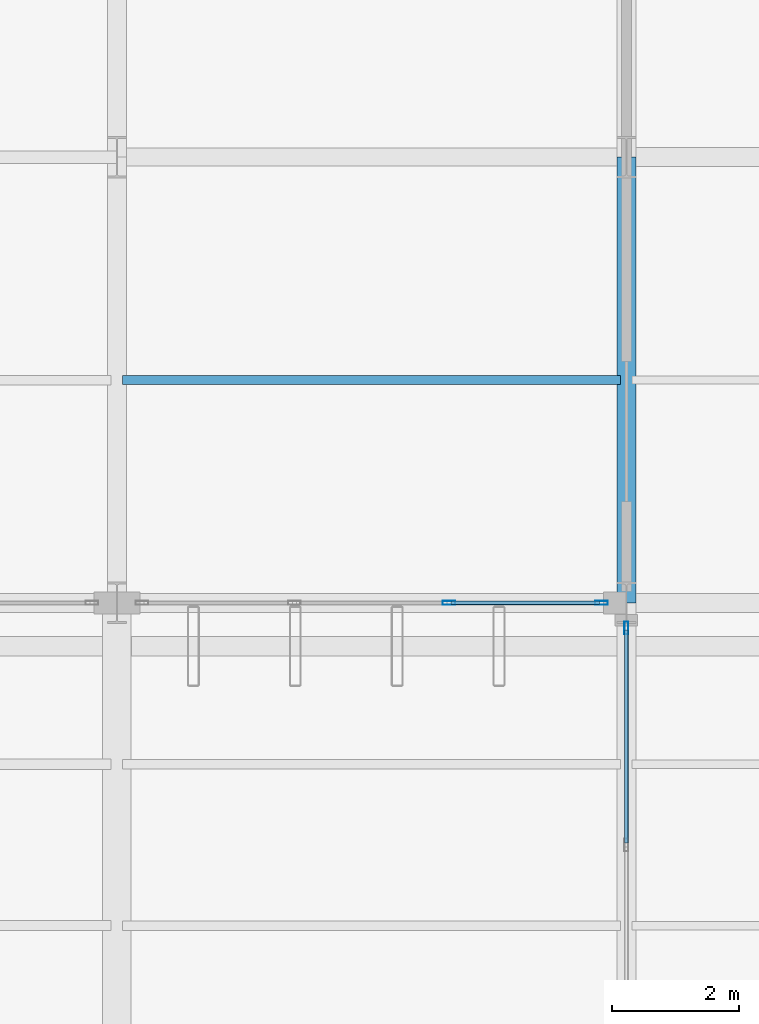
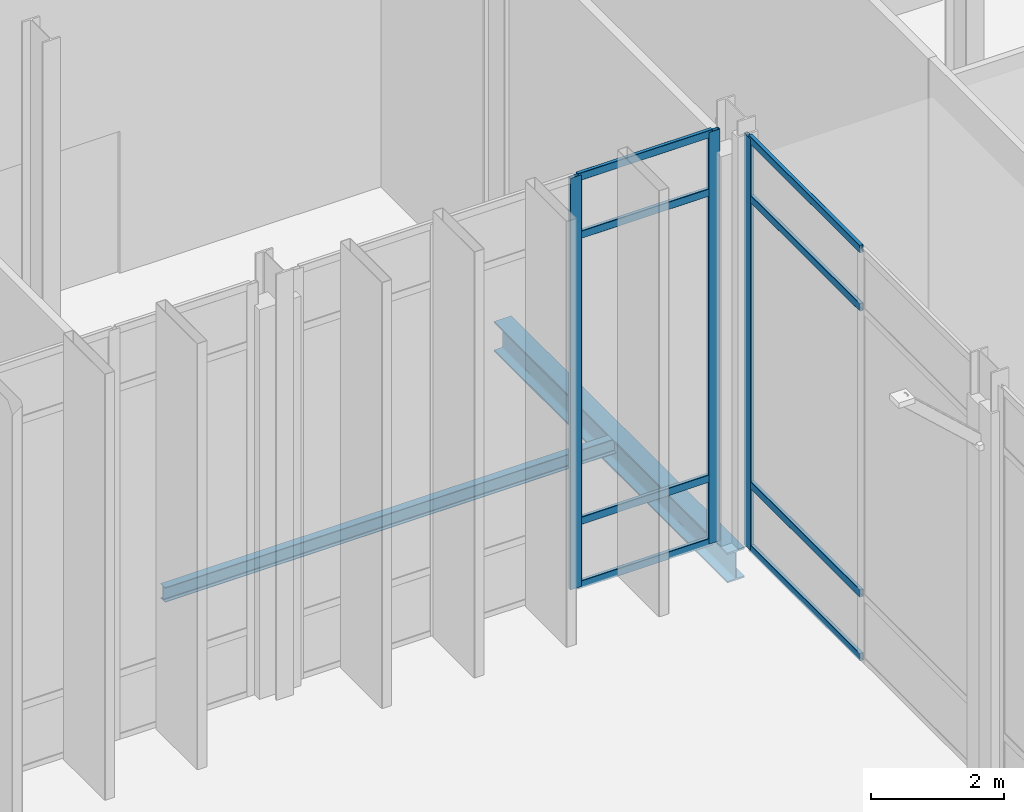
# One storey, part 49 of 176: 11 members, 2 beams, 2 elements without a shape of their own.
"""IFC4 building model written with IfcOpenShell, lengths in metres."""

from ifc_helpers import new_model, si_unit, direction, frame, origin, origin_2d, place, context, subcontext, project, spatial, hollow_rectangle, i_section, extrude, material, layer, layer_set, material_profile, profile_set, type_object, element, aggregate, save


model = new_model("IFC4")

# Units and contexts
model_context = context("Model", 3, precision=1e-05, world=origin(), true_north=direction((0.0, 1.0)))
body_context = subcontext(model_context, "Body", "Model", "MODEL_VIEW")
ifc_project = project(units=[si_unit("LENGTHUNIT", "METRE"), si_unit("AREAUNIT", "SQUARE_METRE"), si_unit("VOLUMEUNIT", "CUBIC_METRE"), si_unit("PLANEANGLEUNIT", "RADIAN"), si_unit("MASSUNIT", "GRAM", prefix="KILO")], contexts=[model_context])

# Site, building, storey
site_placement = place(None, origin())
site = spatial("IfcSite", under=ifc_project, at=site_placement, CompositionType="ELEMENT")
building_placement = place(site_placement, origin())
building = spatial("IfcBuilding", under=site, at=building_placement, Name="Vekula Escarpment Museum", CompositionType="ELEMENT")
storey_placement = place(building_placement, origin())
storey = spatial("IfcBuildingStorey", under=building, at=storey_placement, Name="L01", CompositionType="ELEMENT", Elevation=0.0)

# Beams
ifc_material_1 = material(Name="Steel S355", Category="steel")
ifc_material_profile_1 = material_profile(ifc_material_1, i_section(OverallWidth=0.300048828125, OverallDepth=0.550048828125, WebThickness=0.014892578125, FlangeThickness=0.029052734375, FilletRadius=0.027099609375, at=origin_2d()), Name="HEB 550")
ifc_profile_set_1 = profile_set([ifc_material_profile_1], Name="Steel S355")
beam_type_1 = type_object("IfcBeamType", Name="BM-GIRD-HEB550", PredefinedType="BEAM", material=ifc_profile_set_1)
beam_1_placement = place(storey_placement, frame((94.0, 45.60009765625, -0.574951171875), z_axis=(0.0, 1.0, 0.0), x_axis=(-1.0, 0.0, 0.0)))
element("IfcBeam", 1, at=beam_1_placement, inside=storey, type_object=beam_type_1, Name="Beam Y L01 0582", PredefinedType="BEAM", context=body_context, shape_type="SweptSolid", body=[
    extrude(i_section(OverallWidth=0.300048828125, OverallDepth=0.550048828125, WebThickness=0.014892578125, FlangeThickness=0.029052734375, FilletRadius=0.027099609375, at=origin_2d()), origin(), (0.0, 0.0, 1.0), 7.0),
])
ifc_material_2 = material(Name="Steel S355", Category="steel")
ifc_material_profile_2 = material_profile(ifc_material_2, i_section(OverallWidth=0.135009765625, OverallDepth=0.27001953125, WebThickness=0.006591796875, FlangeThickness=0.01025390625, FilletRadius=0.014892578125, at=origin_2d()), Name="IPE 270")
ifc_profile_set_2 = profile_set([ifc_material_profile_2], Name="Steel S355")
beam_type_2 = type_object("IfcBeamType", Name="BM-JST-IPE270", PredefinedType="JOIST", material=ifc_profile_set_2)
beam_2_placement = place(storey_placement, frame((86.090087890625, 49.10009765625, -0.43505859375), z_axis=(1.0, 0.0, 0.0), x_axis=(0.0, 1.0, 0.0)))
element("IfcBeam", 2, at=beam_2_placement, inside=storey, type_object=beam_type_2, Name="Secondary Joist L01 0275", PredefinedType="JOIST", context=body_context, shape_type="SweptSolid", body=[
    extrude(i_section(OverallWidth=0.135009765625, OverallDepth=0.27001953125, WebThickness=0.006591796875, FlangeThickness=0.01025390625, FilletRadius=0.014892578125, at=origin_2d()), origin(), (0.0, 0.0, 1.0), 7.81982421875),
])

# Curtain wall, members
ifc_material_3 = material(Name="Aluminium thermally broken framing", Category="aluminium")
ifc_layer_1 = layer(ifc_material_3, 0.139892578125)
ifc_layer_set_1 = layer_set([ifc_layer_1], Name="Aluminium thermally broken framing")
curtain_wall_type_1 = type_object("IfcCurtainWallType", Name="CW-SYS-06", PredefinedType="NOTDEFINED", material=ifc_layer_set_1)
curtain_wall_1_placement = place(storey_placement, origin())
curtain_wall_1 = element("IfcCurtainWall", 3, at=curtain_wall_1_placement, inside=storey, type_object=curtain_wall_type_1, Name="Curtain Wall CW-L01-046", PredefinedType="NOTDEFINED")
ifc_material_4 = material(Name="Aluminium anodized mullion", Category="aluminium")
ifc_material_profile_3 = material_profile(ifc_material_4, hollow_rectangle(XDim=0.06494140625, YDim=0.199951171875, WallThickness=0.00390625, InnerFilletRadius=0.00390625, OuterFilletRadius=0.008056640625, at=origin_2d()), Name="ALU 200x65x4")
ifc_profile_set_3 = profile_set([ifc_material_profile_3], Name="Aluminium anodized mullion")
member_type_1 = type_object("IfcMemberType", Name="CW-MUL-200", PredefinedType="MULLION", material=ifc_profile_set_3)
member_1_placement = place(storey_placement, frame((91.21337890625, 45.60009765625, 0.0), z_axis=(0.0, 0.0, 1.0), x_axis=(0.0, 1.0, 0.0)))
member_1 = element("IfcMember", 4, at=member_1_placement, type_object=member_type_1, Name="CW-06 mullion 3", PredefinedType="MULLION", context=body_context, shape_type="SweptSolid", body=[
    extrude(hollow_rectangle(XDim=0.06494140625, YDim=0.199951171875, WallThickness=0.00390625, InnerFilletRadius=0.00390625, OuterFilletRadius=0.008056640625, at=origin_2d()), origin(), (0.0, 0.0, 1.0), 7.5400390625),
])
member_2_placement = place(storey_placement, frame((93.607421875, 45.60009765625, 0.0), z_axis=(0.0, 0.0, 1.0), x_axis=(0.0, 1.0, 0.0)))
member_2 = element("IfcMember", 5, at=member_2_placement, type_object=member_type_1, Name="CW-06 mullion 4", PredefinedType="MULLION", context=body_context, shape_type="SweptSolid", body=[
    extrude(hollow_rectangle(XDim=0.06494140625, YDim=0.199951171875, WallThickness=0.00390625, InnerFilletRadius=0.00390625, OuterFilletRadius=0.008056640625, at=origin_2d()), origin(), (0.0, 0.0, 1.0), 7.5400390625),
])

# Curtain wall, member
ifc_material_5 = material(Name="Aluminium thermally broken framing", Category="aluminium")
ifc_layer_2 = layer(ifc_material_5, 0.179931640625)
ifc_layer_set_2 = layer_set([ifc_layer_2], Name="Aluminium thermally broken framing")
curtain_wall_type_2 = type_object("IfcCurtainWallType", Name="CW-SYS-07", PredefinedType="NOTDEFINED", material=ifc_layer_set_2)
curtain_wall_2_placement = place(storey_placement, origin())
curtain_wall_2 = element("IfcCurtainWall", 6, at=curtain_wall_2_placement, inside=storey, type_object=curtain_wall_type_2, Name="Curtain Wall CW-L01-047", PredefinedType="NOTDEFINED")
member_3_placement = place(storey_placement, frame((94.0, 45.20751953125, 0.0), z_axis=(0.0, 0.0, 1.0), x_axis=(1.0, 0.0, 0.0)))
member_3 = element("IfcMember", 7, at=member_3_placement, type_object=member_type_1, Name="CW-07 mullion 1", PredefinedType="MULLION", context=body_context, shape_type="SweptSolid", body=[
    extrude(hollow_rectangle(XDim=0.06494140625, YDim=0.199951171875, WallThickness=0.00390625, InnerFilletRadius=0.00390625, OuterFilletRadius=0.008056640625, at=origin_2d()), origin(), (0.0, 0.0, 1.0), 7.5400390625),
])

# Member
ifc_material_6 = material(Name="Aluminium anodized transom", Category="aluminium")
ifc_material_profile_4 = material_profile(ifc_material_6, hollow_rectangle(XDim=0.06494140625, YDim=0.139892578125, WallThickness=0.00390625, InnerFilletRadius=0.00390625, OuterFilletRadius=0.008056640625, at=origin_2d()), Name="ALU 140x65x4")
ifc_profile_set_4 = profile_set([ifc_material_profile_4], Name="Aluminium anodized transom")
member_type_2 = type_object("IfcMemberType", Name="CW-TRN-140", PredefinedType="USERDEFINED", material=ifc_profile_set_4)
member_4_placement = place(storey_placement, frame((91.245849609375, 45.60009765625, 0.032470703125), z_axis=(1.0, 0.0, 0.0), x_axis=(0.0, 1.0, 0.0)))
member_4 = element("IfcMember", 8, at=member_4_placement, type_object=member_type_2, Name="CW-06 transom 3.1", ObjectType="TRANSOM", PredefinedType="USERDEFINED", context=body_context, shape_type="SweptSolid", body=[
    extrude(hollow_rectangle(XDim=0.06494140625, YDim=0.139892578125, WallThickness=0.00390625, InnerFilletRadius=0.00390625, OuterFilletRadius=0.008056640625, at=origin_2d()), origin(), (0.0, 0.0, 1.0), 2.3291015625),
])

member_5_placement = place(storey_placement, frame((91.245849609375, 45.60009765625, 1.199951171875), z_axis=(1.0, 0.0, 0.0), x_axis=(0.0, 1.0, 0.0)))
member_5 = element("IfcMember", 9, at=member_5_placement, type_object=member_type_2, Name="CW-06 transom 3.2", ObjectType="TRANSOM", PredefinedType="USERDEFINED", context=body_context, shape_type="SweptSolid", body=[
    extrude(hollow_rectangle(XDim=0.06494140625, YDim=0.139892578125, WallThickness=0.00390625, InnerFilletRadius=0.00390625, OuterFilletRadius=0.008056640625, at=origin_2d()), origin(), (0.0, 0.0, 1.0), 2.3291015625),
])

member_6_placement = place(storey_placement, frame((91.245849609375, 45.60009765625, 6.43994140625), z_axis=(1.0, 0.0, 0.0), x_axis=(0.0, 1.0, 0.0)))
member_6 = element("IfcMember", 10, at=member_6_placement, type_object=member_type_2, Name="CW-06 transom 3.3", ObjectType="TRANSOM", PredefinedType="USERDEFINED", context=body_context, shape_type="SweptSolid", body=[
    extrude(hollow_rectangle(XDim=0.06494140625, YDim=0.139892578125, WallThickness=0.00390625, InnerFilletRadius=0.00390625, OuterFilletRadius=0.008056640625, at=origin_2d()), origin(), (0.0, 0.0, 1.0), 2.3291015625),
])

member_7_placement = place(storey_placement, frame((91.245849609375, 45.60009765625, 7.507568359375), z_axis=(1.0, 0.0, 0.0), x_axis=(0.0, 1.0, 0.0)))
member_7 = element("IfcMember", 11, at=member_7_placement, type_object=member_type_2, Name="CW-06 transom 3.4", ObjectType="TRANSOM", PredefinedType="USERDEFINED", context=body_context, shape_type="SweptSolid", body=[
    extrude(hollow_rectangle(XDim=0.06494140625, YDim=0.139892578125, WallThickness=0.00390625, InnerFilletRadius=0.00390625, OuterFilletRadius=0.008056640625, at=origin_2d()), origin(), (0.0, 0.0, 1.0), 2.3291015625),
])

aggregate(curtain_wall_1, [member_1, member_2, member_4, member_5, member_6, member_7])

member_8_placement = place(storey_placement, frame((94.0, 45.175048828125, 0.032470703125), z_axis=(0.0, -1.0, 0.0), x_axis=(1.0, 0.0, 0.0)))
member_8 = element("IfcMember", 12, at=member_8_placement, type_object=member_type_2, Name="CW-07 transom 1.1", ObjectType="TRANSOM", PredefinedType="USERDEFINED", context=body_context, shape_type="SweptSolid", body=[
    extrude(hollow_rectangle(XDim=0.06494140625, YDim=0.139892578125, WallThickness=0.00390625, InnerFilletRadius=0.00390625, OuterFilletRadius=0.008056640625, at=origin_2d()), origin(), (0.0, 0.0, 1.0), 3.342529296875),
])

member_9_placement = place(storey_placement, frame((94.0, 45.175048828125, 1.199951171875), z_axis=(0.0, -1.0, 0.0), x_axis=(1.0, 0.0, 0.0)))
member_9 = element("IfcMember", 13, at=member_9_placement, type_object=member_type_2, Name="CW-07 transom 1.2", ObjectType="TRANSOM", PredefinedType="USERDEFINED", context=body_context, shape_type="SweptSolid", body=[
    extrude(hollow_rectangle(XDim=0.06494140625, YDim=0.139892578125, WallThickness=0.00390625, InnerFilletRadius=0.00390625, OuterFilletRadius=0.008056640625, at=origin_2d()), origin(), (0.0, 0.0, 1.0), 3.342529296875),
])

member_10_placement = place(storey_placement, frame((94.0, 45.175048828125, 6.43994140625), z_axis=(0.0, -1.0, 0.0), x_axis=(1.0, 0.0, 0.0)))
member_10 = element("IfcMember", 14, at=member_10_placement, type_object=member_type_2, Name="CW-07 transom 1.3", ObjectType="TRANSOM", PredefinedType="USERDEFINED", context=body_context, shape_type="SweptSolid", body=[
    extrude(hollow_rectangle(XDim=0.06494140625, YDim=0.139892578125, WallThickness=0.00390625, InnerFilletRadius=0.00390625, OuterFilletRadius=0.008056640625, at=origin_2d()), origin(), (0.0, 0.0, 1.0), 3.342529296875),
])

member_11_placement = place(storey_placement, frame((94.0, 45.175048828125, 7.507568359375), z_axis=(0.0, -1.0, 0.0), x_axis=(1.0, 0.0, 0.0)))
member_11 = element("IfcMember", 15, at=member_11_placement, type_object=member_type_2, Name="CW-07 transom 1.4", ObjectType="TRANSOM", PredefinedType="USERDEFINED", context=body_context, shape_type="SweptSolid", body=[
    extrude(hollow_rectangle(XDim=0.06494140625, YDim=0.139892578125, WallThickness=0.00390625, InnerFilletRadius=0.00390625, OuterFilletRadius=0.008056640625, at=origin_2d()), origin(), (0.0, 0.0, 1.0), 3.342529296875),
])

aggregate(curtain_wall_2, [member_3, member_8, member_9, member_10, member_11])

save(model, "model.ifc")
